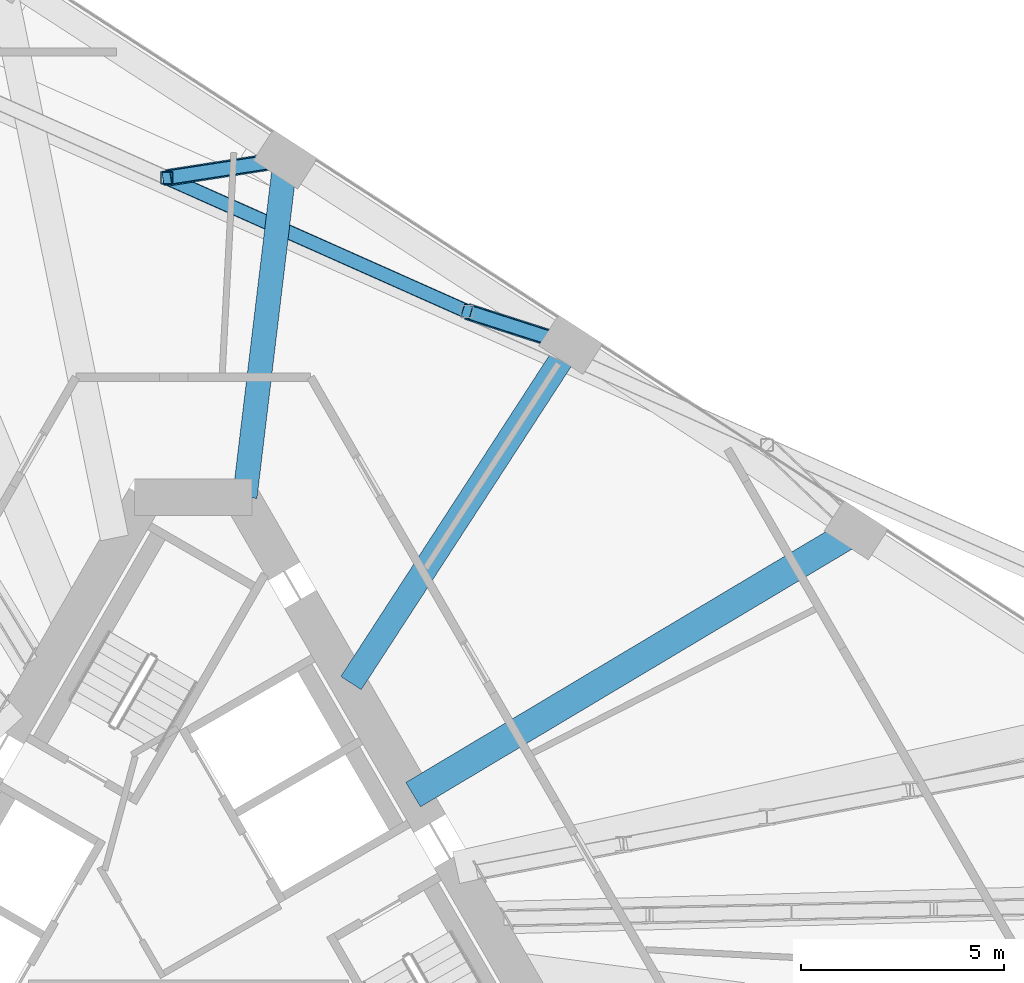
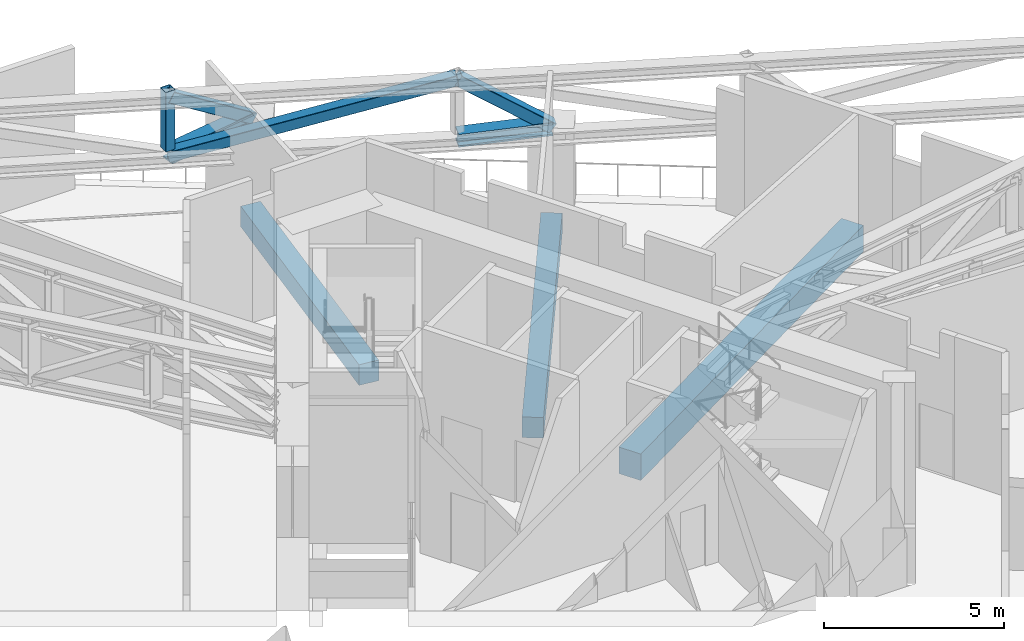
# One storey, part 10 of 26: 6 members, 3 beams.
"""IFC4 building model written with IfcOpenShell, lengths in metres."""

from ifc_helpers import new_model, si_unit, direction, frame, origin, origin_2d, place, context, subcontext, project, spatial, rectangle, hollow_rectangle, i_section, extrude, material, material_profile, profile_set, type_object, element, save


model = new_model("IFC4")

# Units and contexts
model_context = context("Model", 3, precision=1e-05, world=origin(), true_north=direction((0.0, 1.0)))
body_context = subcontext(model_context, "Body", "Model", "MODEL_VIEW")
ifc_project = project(units=[si_unit("LENGTHUNIT", "METRE"), si_unit("AREAUNIT", "SQUARE_METRE"), si_unit("VOLUMEUNIT", "CUBIC_METRE"), si_unit("PLANEANGLEUNIT", "RADIAN"), si_unit("MASSUNIT", "GRAM", prefix="KILO")], contexts=[model_context])

# Site, building, storey
site_placement = place(None, origin())
site = spatial("IfcSite", under=ifc_project, at=site_placement, CompositionType="ELEMENT")
building_placement = place(site_placement, origin())
building = spatial("IfcBuilding", under=site, at=building_placement, Name="Tramontana Tower", CompositionType="ELEMENT")
storey_placement = place(building_placement, frame((0.0, 0.0, 157.60009765625)))
storey = spatial("IfcBuildingStorey", under=building, at=storey_placement, Name="L36", CompositionType="ELEMENT", Elevation=157.60009765625)

# Members
ifc_material_1 = material(Name="Steel ASTM A500 Grade C", Category="steel")
ifc_material_profile_1 = material_profile(ifc_material_1, hollow_rectangle(XDim=0.3046875, YDim=0.3046875, WallThickness=0.01171875, InnerFilletRadius=0.01171875, OuterFilletRadius=0.023681640625, at=origin_2d()), Name="HSS12X12X1/2")
ifc_profile_set_1 = profile_set([ifc_material_profile_1], Name="Steel ASTM A500 Grade C")
member_type_1 = type_object("IfcMemberType", Name="Belt truss HSS12X12X1/2 post", PredefinedType="POST", material=ifc_profile_set_1)
member_1_placement = place(storey_placement, frame((-0.652587890625, 18.40673828125, 2.8349609375), z_axis=(0.0, 0.0, 1.0), x_axis=(1.0, 0.0, 0.0)))
element("IfcMember", 1, at=member_1_placement, inside=storey, type_object=member_type_1, Name="Belt truss post C4F14", PredefinedType="POST", context=body_context, shape_type="SweptSolid", body=[
    extrude(hollow_rectangle(XDim=0.3046875, YDim=0.3046875, WallThickness=0.01171875, InnerFilletRadius=0.01171875, OuterFilletRadius=0.023681640625, at=origin_2d()), origin(), (0.0, 0.0, 1.0), 2.014892578125),
])
ifc_material_2 = material(Name="Steel ASTM A500 Grade C", Category="steel")
ifc_material_profile_2 = material_profile(ifc_material_2, hollow_rectangle(XDim=0.355712890625, YDim=0.355712890625, WallThickness=0.01171875, InnerFilletRadius=0.01171875, OuterFilletRadius=0.023681640625, at=origin_2d()), Name="HSS14X14X1/2")
ifc_profile_set_2 = profile_set([ifc_material_profile_2], Name="Steel ASTM A500 Grade C")
member_type_2 = type_object("IfcMemberType", Name="Belt truss HSS14X14X1/2 brace", PredefinedType="BRACE", material=ifc_profile_set_2)
member_2_placement = place(storey_placement, frame((6.7314453125, 15.119140625, 4.63232421875), z_axis=(-0.886418524301, 0.394660666168, -0.241878395803), x_axis=(-0.40673811554, -0.913544802058, 0.0)))
element("IfcMember", 2, at=member_2_placement, inside=storey, type_object=member_type_2, Name="Belt truss diagonal S2.4", PredefinedType="BRACE", context=body_context, shape_type="SweptSolid", body=[
    extrude(hollow_rectangle(XDim=0.355712890625, YDim=0.355712890625, WallThickness=0.01171875, InnerFilletRadius=0.01171875, OuterFilletRadius=0.023681640625, at=origin_2d()), origin(), (0.0, 0.0, 1.0), 8.330078125),
])

# Beams
ifc_material_3 = material(Name="Concrete 40 MPa", Category="concrete")
ifc_material_profile_3 = material_profile(ifc_material_3, rectangle(XDim=0.60009765625, YDim=0.699951171875, at=origin_2d()), Name="RC GIRDER 600X700 40 MPa")
ifc_profile_set_3 = profile_set([ifc_material_profile_3], Name="Concrete 40 MPa")
beam_type_1 = type_object("IfcBeamType", Name="RC GIRDER 600X700 40 MPa", PredefinedType="BEAM", material=ifc_profile_set_3)
beam_1_placement = place(storey_placement, frame((9.2861328125, 14.29931640625, -0.7001953125), z_axis=(-0.54464589271, -0.838666114466, 0.0), x_axis=(0.838666114466, -0.54464589271, 0.0)))
element("IfcBeam", 3, at=beam_1_placement, inside=storey, type_object=beam_type_1, Name="Radial girder C3F13 L36", PredefinedType="BEAM", context=body_context, shape_type="SweptSolid", body=[
    extrude(rectangle(XDim=0.60009765625, YDim=0.699951171875, at=origin_2d()), origin(), (0.0, 0.0, 1.0), 9.92431640625),
])
beam_2_placement = place(storey_placement, frame((2.26513671875, 18.85888671875, -0.7001953125), z_axis=(-0.119248793527, -0.992864404258, 0.0), x_axis=(0.992864404258, -0.119248793527, 0.0)))
element("IfcBeam", 4, at=beam_2_placement, inside=storey, type_object=beam_type_1, Name="Radial girder C3F14 L36", PredefinedType="BEAM", context=body_context, shape_type="SweptSolid", body=[
    extrude(rectangle(XDim=0.60009765625, YDim=0.699951171875, at=origin_2d()), origin(), (0.0, 0.0, 1.0), 8.365234375),
])
ifc_material_4 = material(Name="Concrete 40 MPa", Category="concrete")
ifc_material_profile_4 = material_profile(ifc_material_4, rectangle(XDim=0.699951171875, YDim=0.89990234375, at=origin_2d()), Name="RC GIRDER 700X900 40 MPa")
ifc_profile_set_4 = profile_set([ifc_material_profile_4], Name="Concrete 40 MPa")
beam_type_2 = type_object("IfcBeamType", Name="RC GIRDER 700X900 40 MPa", PredefinedType="BEAM", material=ifc_profile_set_4)
beam_3_placement = place(storey_placement, frame((16.30712890625, 9.73974609375, -0.800048828125), z_axis=(-0.858533155932, -0.512758052268, 0.0), x_axis=(0.512758052268, -0.858533155932, 0.0)))
element("IfcBeam", 5, at=beam_3_placement, inside=storey, type_object=beam_type_2, Name="Radial girder C3F12 L36", PredefinedType="BEAM", context=body_context, shape_type="SweptSolid", body=[
    extrude(rectangle(XDim=0.699951171875, YDim=0.89990234375, at=origin_2d()), origin(), (0.0, 0.0, 1.0), 12.693603515625),
])

# Members
ifc_material_5 = material(Name="Steel ASTM A500 Grade C", Category="steel")
ifc_material_profile_5 = material_profile(ifc_material_5, hollow_rectangle(XDim=0.355712890625, YDim=0.355712890625, WallThickness=0.01171875, InnerFilletRadius=0.01171875, OuterFilletRadius=0.023681640625, at=origin_2d()), Name="HSS14X14X1/2")
ifc_profile_set_5 = profile_set([ifc_material_profile_5], Name="Steel ASTM A500 Grade C")
member_type_3 = type_object("IfcMemberType", Name="Transfer truss HSS14X14X1/2 brace", PredefinedType="BRACE", material=ifc_profile_set_5)
member_3_placement = place(storey_placement, frame((9.2861328125, 14.29931640625, 2.617431640625), z_axis=(-0.761378757514, 0.244333894088, 0.600502569358), x_axis=(-0.305561429813, -0.952172364969, 0.0)))
element("IfcMember", 6, at=member_3_placement, inside=storey, type_object=member_type_3, Name="Transfer truss strut C4F13 diagonal", PredefinedType="BRACE", context=body_context, shape_type="SweptSolid", body=[
    extrude(hollow_rectangle(XDim=0.355712890625, YDim=0.355712890625, WallThickness=0.01171875, InnerFilletRadius=0.01171875, OuterFilletRadius=0.023681640625, at=origin_2d()), origin(), (0.0, 0.0, 1.0), 3.355224609375),
])
member_4_placement = place(storey_placement, frame((2.26513671875, 18.85888671875, 2.617431640625), z_axis=(-0.816251420871, -0.126491308799, 0.56367860233), x_axis=(0.153138251362, -0.98820477431, 0.0)))
element("IfcMember", 7, at=member_4_placement, inside=storey, type_object=member_type_3, Name="Transfer truss strut C4F14 diagonal", PredefinedType="BRACE", context=body_context, shape_type="SweptSolid", body=[
    extrude(hollow_rectangle(XDim=0.355712890625, YDim=0.355712890625, WallThickness=0.01171875, InnerFilletRadius=0.01171875, OuterFilletRadius=0.023681640625, at=origin_2d()), origin(), (0.0, 0.0, 1.0), 3.574462890625),
])
ifc_material_6 = material(Name="Steel ASTM A992 Grade 50", Category="steel")
ifc_material_profile_6 = material_profile(ifc_material_6, i_section(OverallWidth=0.412841796875, OverallDepth=0.43505859375, WebThickness=0.03662109375, FlangeThickness=0.05712890625, FilletRadius=0.01513671875, at=origin_2d()), Name="W14X311")
ifc_profile_set_6 = profile_set([ifc_material_profile_6], Name="Steel ASTM A992 Grade 50")
member_type_4 = type_object("IfcMemberType", Name="Transfer truss W14X311 strut", PredefinedType="STRUT", material=ifc_profile_set_6)
member_5_placement = place(storey_placement, frame((9.2861328125, 14.29931640625, 2.617431640625), z_axis=(-0.952172364969, 0.305561429813, 0.0), x_axis=(-0.305561429813, -0.952172364969, 0.0)))
element("IfcMember", 8, at=member_5_placement, inside=storey, type_object=member_type_4, Name="Transfer truss strut C4F13 bottom", PredefinedType="STRUT", context=body_context, shape_type="SweptSolid", body=[
    extrude(i_section(OverallWidth=0.412841796875, OverallDepth=0.43505859375, WebThickness=0.03662109375, FlangeThickness=0.05712890625, FilletRadius=0.01513671875, at=origin_2d()), origin(), (0.0, 0.0, 1.0), 2.68310546875),
])
member_6_placement = place(storey_placement, frame((2.26513671875, 18.85888671875, 2.617431640625), z_axis=(-0.98820477431, -0.153138251362, 0.0), x_axis=(0.153138251362, -0.98820477431, 0.0)))
element("IfcMember", 9, at=member_6_placement, inside=storey, type_object=member_type_4, Name="Transfer truss strut C4F14 bottom", PredefinedType="STRUT", context=body_context, shape_type="SweptSolid", body=[
    extrude(i_section(OverallWidth=0.412841796875, OverallDepth=0.43505859375, WebThickness=0.03662109375, FlangeThickness=0.05712890625, FilletRadius=0.01513671875, at=origin_2d()), origin(), (0.0, 0.0, 1.0), 2.95263671875),
])

save(model, "model.ifc")
